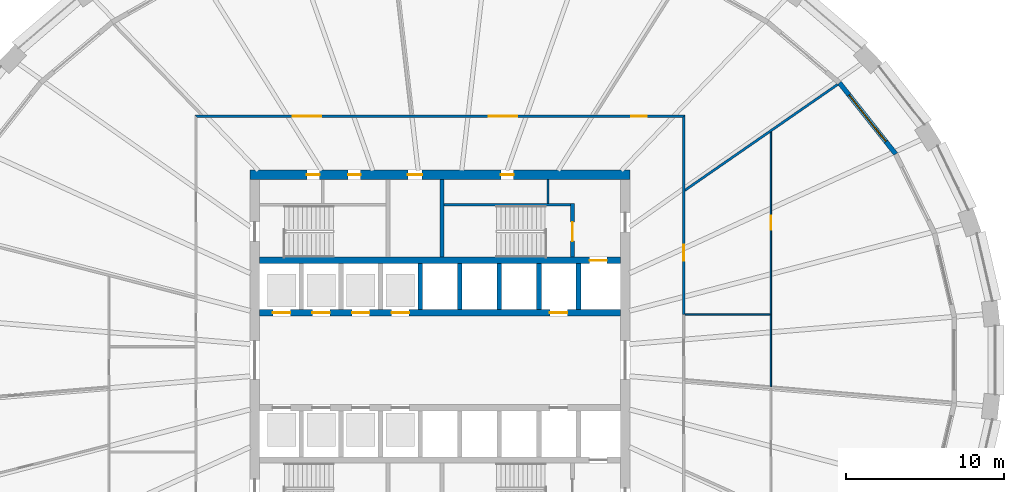
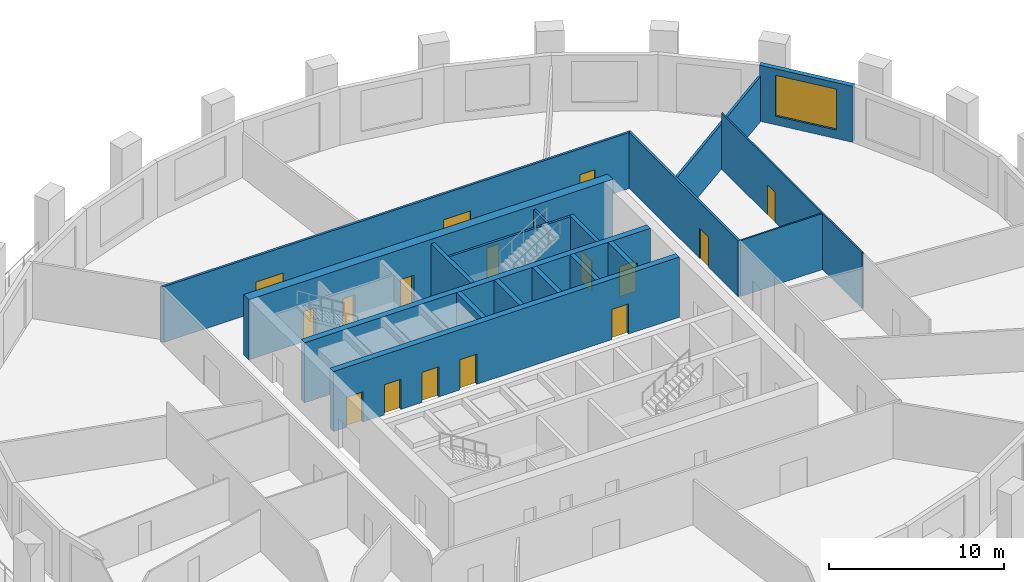
# One storey, part 6 of 10: 18 walls, 16 doors, 1 window, 17 openings.
"""IFC4 building model written with IfcOpenShell, lengths in metres."""

from ifc_helpers import new_model, si_unit, direction, frame, frame_2d, origin, place, context, subcontext, project, spatial, polyline, rectangle, outline, extrude, material, layer, layer_set, type_object, element, fill, save


model = new_model("IFC4")

# Units and contexts
model_context = context("Model", 3, precision=1e-05, world=origin(), true_north=direction((0.0, 1.0)))
body_context = subcontext(model_context, "Body", "Model", "MODEL_VIEW")
ifc_project = project(units=[si_unit("LENGTHUNIT", "METRE"), si_unit("AREAUNIT", "SQUARE_METRE"), si_unit("VOLUMEUNIT", "CUBIC_METRE"), si_unit("PLANEANGLEUNIT", "RADIAN"), si_unit("MASSUNIT", "GRAM", prefix="KILO")], contexts=[model_context])

# Site, building, storey
site_placement = place(None, origin())
site = spatial("IfcSite", under=ifc_project, at=site_placement, CompositionType="ELEMENT")
building_placement = place(site_placement, origin())
building = spatial("IfcBuilding", under=site, at=building_placement, Name="Halqa Exchange Tower", CompositionType="ELEMENT")
storey_placement = place(building_placement, frame((0.0, 0.0, 112.89990234375)))
storey = spatial("IfcBuildingStorey", under=building, at=storey_placement, Name="L25", CompositionType="ELEMENT", Elevation=112.89990234375)

# Wall, openings, doors
ifc_material_1 = material(Name="Fire-rated gypsum board")
ifc_layer_1 = layer(ifc_material_1, 0.14990234375)
ifc_layer_set_1 = layer_set([ifc_layer_1], Name="Fire-rated gypsum board")
wall_type_1 = type_object("IfcWallType", Name="Fire partition EI 60 150", PredefinedType="PARTITIONING", material=ifc_layer_set_1)
wall_1_placement = place(storey_placement, frame((-15.47509765625, 15.39990234375, 0.0), z_axis=(0.0, 0.0, 1.0), x_axis=(1.0, 0.0, 0.0)))
wall_1 = element("IfcWall", 1, at=wall_1_placement, inside=storey, type_object=wall_type_1, Name="L25-PWL-010", PredefinedType="PARTITIONING", context=body_context, shape_type="SweptSolid", body=[
    extrude(outline(polyline([(0.150146484375, -0.074951171875), (2.065673828125, -0.074951171875), (3.9814453125, -0.074951171875), (5.89697265625, -0.074951171875), (7.8125, -0.074951171875), (9.728271484375, -0.074951171875), (11.643798828125, -0.074951171875), (13.5595703125, -0.074951171875), (15.47509765625, -0.074951171875), (17.390625, -0.074951171875), (19.306396484375, -0.074951171875), (21.221923828125, -0.074951171875), (23.1376953125, -0.074951171875), (25.05322265625, -0.074951171875), (26.96875, -0.074951171875), (28.884521484375, -0.074951171875), (30.800048828125, -0.074951171875), (30.949951171875, 0.074951171875), (29.015625, 0.074951171875), (27.081298828125, 0.074951171875), (25.14697265625, 0.074951171875), (23.21240234375, 0.074951171875), (21.278076171875, 0.074951171875), (19.34375, 0.074951171875), (17.409423828125, 0.074951171875), (15.47509765625, 0.074951171875), (13.540771484375, 0.074951171875), (11.6064453125, 0.074951171875), (9.672119140625, 0.074951171875), (7.73779296875, 0.074951171875), (5.80322265625, 0.074951171875), (3.868896484375, 0.074951171875), (1.9345703125, 0.074951171875), (0.000244140625, 0.074951171875), (0.150146484375, -0.074951171875)])), origin(), (0.0, 0.0, 1.0), 3.900146484375),
])
opening_1_placement = place(wall_1_placement, frame((27.544921875, 0.0, 0.0)))
opening_1 = element("IfcOpeningElement", 2, at=opening_1_placement, cuts=wall_1, Name="Opening 07-01", PredefinedType="OPENING", context=body_context, shape_type="SweptSolid", body=[
    extrude(rectangle(XDim=1.0, YDim=2.10009765625, at=frame_2d((0.5, 1.050048828125))), frame((0.0, 0.0869140625, 0.0), z_axis=(0.0, -1.0, 0.0), x_axis=(1.0, 0.0, 0.0)), (0.0, 0.0, 1.0), 0.173828125),
])
opening_2_placement = place(wall_1_placement, frame((18.544921875, 0.0, 0.0)))
opening_2 = element("IfcOpeningElement", 3, at=opening_2_placement, cuts=wall_1, Name="Opening 07-02", PredefinedType="OPENING", context=body_context, shape_type="SweptSolid", body=[
    extrude(rectangle(XDim=1.800048828125, YDim=2.10009765625, at=frame_2d((0.89990234375, 1.050048828125))), frame((0.0, 0.0869140625, 0.0), z_axis=(0.0, -1.0, 0.0), x_axis=(1.0, 0.0, 0.0)), (0.0, 0.0, 1.0), 0.173828125),
])
opening_3_placement = place(wall_1_placement, frame((6.195068359375, 0.0, 0.0)))
opening_3 = element("IfcOpeningElement", 4, at=opening_3_placement, cuts=wall_1, Name="Opening 07-03", PredefinedType="OPENING", context=body_context, shape_type="SweptSolid", body=[
    extrude(rectangle(XDim=1.800048828125, YDim=2.10009765625, at=frame_2d((0.89990234375, 1.050048828125))), frame((0.0, 0.0869140625, 0.0), z_axis=(0.0, -1.0, 0.0), x_axis=(1.0, 0.0, 0.0)), (0.0, 0.0, 1.0), 0.173828125),
])
ifc_material_2 = material(Name="Steel fire door leaf", Category="steel")
door_type_1 = type_object("IfcDoorType", Name="Fire door FD30S 1000 x 2100", OperationType="SINGLE_SWING_LEFT", PredefinedType="DOOR", material=ifc_material_2)
door_1_placement = place(opening_1_placement, origin())
door_1 = element("IfcDoor", 5, at=door_1_placement, inside=storey, type_object=door_type_1, Name="L25-IDR-001", OperationType="SINGLE_SWING_RIGHT", OverallHeight=2.10009765625, OverallWidth=1.0, PredefinedType="DOOR", context=body_context, shape_type="SweptSolid", body=[
    extrude(rectangle(XDim=1.0, YDim=2.10009765625, at=frame_2d((0.5, 1.050048828125))), frame((0.0, 0.02490234375, 0.0), z_axis=(0.0, -1.0, 0.0), x_axis=(1.0, 0.0, 0.0)), (0.0, 0.0, 1.0), 0.050048828125),
])
fill(opening_1, door_1)
door_type_2 = type_object("IfcDoorType", Name="Fire door FD30S double 1800 x 2100", OperationType="DOUBLE_DOOR_SINGLE_SWING", PredefinedType="DOOR", material=ifc_material_2)
door_2_placement = place(opening_2_placement, origin())
door_2 = element("IfcDoor", 6, at=door_2_placement, inside=storey, type_object=door_type_2, Name="L25-IDR-002", OperationType="DOUBLE_DOOR_SINGLE_SWING", OverallHeight=2.10009765625, OverallWidth=1.800048828125, PredefinedType="DOOR", context=body_context, shape_type="SweptSolid", body=[
    extrude(rectangle(XDim=1.800048828125, YDim=2.10009765625, at=frame_2d((0.89990234375, 1.050048828125))), frame((0.0, 0.02490234375, 0.0), z_axis=(0.0, -1.0, 0.0), x_axis=(1.0, 0.0, 0.0)), (0.0, 0.0, 1.0), 0.050048828125),
])
fill(opening_2, door_2)
door_3_placement = place(opening_3_placement, origin())
door_3 = element("IfcDoor", 7, at=door_3_placement, inside=storey, type_object=door_type_2, Name="L25-IDR-003", OperationType="DOUBLE_DOOR_SINGLE_SWING", OverallHeight=2.10009765625, OverallWidth=1.800048828125, PredefinedType="DOOR", context=body_context, shape_type="SweptSolid", body=[
    extrude(rectangle(XDim=1.800048828125, YDim=2.10009765625, at=frame_2d((0.89990234375, 1.050048828125))), frame((0.0, 0.02490234375, 0.0), z_axis=(0.0, -1.0, 0.0), x_axis=(1.0, 0.0, 0.0)), (0.0, 0.0, 1.0), 0.050048828125),
])
fill(opening_3, door_3)

# Wall, opening, door
wall_2_placement = place(storey_placement, frame((15.39990234375, 2.8798828125, 0.0), z_axis=(0.0, 0.0, 1.0), x_axis=(0.0, 1.0, 0.0)))
wall_2 = element("IfcWall", 8, at=wall_2_placement, inside=storey, type_object=wall_type_1, Name="L25-PWL-021", PredefinedType="PARTITIONING", context=body_context, shape_type="SweptSolid", body=[
    extrude(outline(polyline([(0.0, -0.074951171875), (1.79931640625, -0.074951171875), (3.5986328125, -0.074951171875), (5.39794921875, -0.074951171875), (7.197021484375, -0.074951171875), (8.996337890625, -0.074951171875), (10.795654296875, -0.074951171875), (12.594970703125, -0.074951171875), (12.445068359375, 0.074951171875), (10.667236328125, 0.074951171875), (8.889404296875, 0.074951171875), (7.111572265625, 0.074951171875), (5.33349609375, 0.074951171875), (3.5556640625, 0.074951171875), (1.77783203125, 0.074951171875), (0.0, 0.074951171875), (0.0, -0.074951171875)])), origin(), (0.0, 0.0, 1.0), 3.900146484375),
])
opening_4_placement = place(wall_2_placement, frame((3.39990234375, 0.0, 0.0)))
opening_4 = element("IfcOpeningElement", 9, at=opening_4_placement, cuts=wall_2, Name="Opening 07-14", PredefinedType="OPENING", context=body_context, shape_type="SweptSolid", body=[
    extrude(rectangle(XDim=1.0, YDim=2.10009765625, at=frame_2d((0.5, 1.050048828125))), frame((0.0, 0.0869140625, 0.0), z_axis=(0.0, -1.0, 0.0), x_axis=(1.0, 0.0, 0.0)), (0.0, 0.0, 1.0), 0.173828125),
])
door_4_placement = place(opening_4_placement, frame((1.0, 0.0, 0.0), z_axis=(0.0, 0.0, 1.0), x_axis=(-1.0, 0.0, 0.0)))
door_4 = element("IfcDoor", 10, at=door_4_placement, inside=storey, type_object=door_type_1, Name="L25-IDR-014", OperationType="SINGLE_SWING_RIGHT", OverallHeight=2.10009765625, OverallWidth=1.0, PredefinedType="DOOR", context=body_context, shape_type="SweptSolid", body=[
    extrude(rectangle(XDim=1.0, YDim=2.10009765625, at=frame_2d((0.5, 1.050048828125))), frame((0.0, 0.02490234375, 0.0), z_axis=(0.0, -1.0, 0.0), x_axis=(1.0, 0.0, 0.0)), (0.0, 0.0, 1.0), 0.050048828125),
])
fill(opening_4, door_4)

# Walls
wall_3_placement = place(storey_placement, frame((15.4326171875, 10.702392578125, 0.0), z_axis=(0.0, 0.0, 1.0), x_axis=(0.82202509952, 0.569451258458, 0.0)))
element("IfcWall", 11, at=wall_3_placement, inside=storey, type_object=wall_type_1, Name="L25-PWL-023", PredefinedType="PARTITIONING", context=body_context, shape_type="SweptSolid", body=[
    extrude(outline(polyline([(0.0, -0.074951171875), (1.634521484375, -0.074951171875), (3.269287109375, -0.074951171875), (4.90380859375, -0.074951171875), (6.538330078125, -0.074951171875), (6.540283203125, -0.072021484375), (6.54443359375, -0.074951171875), (8.291259765625, -0.074951171875), (10.0380859375, -0.074951171875), (11.784912109375, -0.074951171875), (11.784912109375, -0.071044921875), (11.7802734375, 0.002685546875), (11.7607421875, 0.074951171875), (9.81787109375, 0.074951171875), (7.875, 0.074951171875), (5.93212890625, 0.074951171875), (3.9892578125, 0.074951171875), (2.04638671875, 0.074951171875), (0.103515625, 0.074951171875), (0.0, -0.074462890625), (0.0, -0.074951171875)])), origin(), (0.0, 0.0, 1.0), 3.147216796875),
])
ifc_material_3 = material(Name="Gypsum board")
ifc_layer_2 = layer(ifc_material_3, 0.10009765625)
ifc_layer_set_2 = layer_set([ifc_layer_2], Name="Gypsum board")
wall_type_2 = type_object("IfcWallType", Name="Partition 100 gypsum", PredefinedType="PARTITIONING", material=ifc_layer_set_2)
wall_4_placement = place(storey_placement, frame((15.46044921875, 2.8798828125, 0.0), z_axis=(0.0, 0.0, 1.0), x_axis=(1.0, 0.0, 0.0)))
element("IfcWall", 12, at=wall_4_placement, inside=storey, type_object=wall_type_2, Name="L25-PWL-022", PredefinedType="PARTITIONING", context=body_context, shape_type="SweptSolid", body=[
    extrude(outline(polyline([(0.0, -0.050048828125), (1.796630859375, -0.050048828125), (3.593017578125, -0.050048828125), (5.3896484375, -0.050048828125), (5.3896484375, 0.050048828125), (3.597900390625, 0.050048828125), (1.80615234375, 0.050048828125), (0.0146484375, 0.050048828125), (0.0146484375, 0.0), (0.0, 0.0), (0.0, -0.050048828125)])), origin(), (0.0, 0.0, 1.0), 3.900146484375),
])

# Wall, opening, door
wall_5_placement = place(storey_placement, frame((20.89990234375, -1.66845703125, 0.0), z_axis=(0.0, 0.0, 1.0), x_axis=(0.0, 1.0, 0.0)))
wall_5 = element("IfcWall", 13, at=wall_5_placement, inside=storey, type_object=wall_type_2, Name="L25-PWL-025", PredefinedType="PARTITIONING", context=body_context, shape_type="SweptSolid", body=[
    extrude(outline(polyline([(16.1015625, -0.050048828125), (16.1015625, -0.0498046875), (16.032470703125, 0.050048828125), (14.126708984375, 0.050048828125), (12.22119140625, 0.050048828125), (10.3154296875, 0.050048828125), (8.409912109375, 0.050048828125), (6.504150390625, 0.050048828125), (4.598388671875, 0.050048828125), (4.598388671875, 0.0498046875), (4.49853515625, 0.0498046875), (4.49853515625, 0.050048828125), (3.001708984375, 0.050048828125), (1.505126953125, 0.050048828125), (0.00830078125, 0.050048828125), (0.0, -0.049072265625), (0.0, -0.050048828125), (1.7890625, -0.050048828125), (3.578125, -0.050048828125), (5.3671875, -0.050048828125), (7.15625, -0.050048828125), (8.9453125, -0.050048828125), (10.734375, -0.050048828125), (12.5234375, -0.050048828125), (14.3125, -0.050048828125), (16.1015625, -0.050048828125)])), origin(), (0.0, 0.0, 1.0), 3.900146484375),
])
opening_5_placement = place(wall_5_placement, frame((9.903564453125, 0.0, 0.0)))
opening_5 = element("IfcOpeningElement", 14, at=opening_5_placement, cuts=wall_5, Name="Opening 07-19", PredefinedType="OPENING", context=body_context, shape_type="SweptSolid", body=[
    extrude(rectangle(XDim=0.89990234375, YDim=2.10009765625, at=frame_2d((0.449951171875, 1.050048828125))), frame((0.0, 0.06201171875, 0.0), z_axis=(0.0, -1.0, 0.0), x_axis=(1.0, 0.0, 0.0)), (0.0, 0.0, 1.0), 0.1240234375),
])
ifc_material_4 = material(Name="Timber door leaf", Category="wood")
door_type_3 = type_object("IfcDoorType", Name="Door 900 x 2100", OperationType="SINGLE_SWING_LEFT", PredefinedType="DOOR", material=ifc_material_4)
door_5_placement = place(opening_5_placement, origin())
door_5 = element("IfcDoor", 15, at=door_5_placement, inside=storey, type_object=door_type_3, Name="L25-IDR-019", OperationType="SINGLE_SWING_RIGHT", OverallHeight=2.10009765625, OverallWidth=0.89990234375, PredefinedType="DOOR", context=body_context, shape_type="SweptSolid", body=[
    extrude(rectangle(XDim=0.89990234375, YDim=2.10009765625, at=frame_2d((0.449951171875, 1.050048828125))), frame((0.0, 0.02490234375, 0.0), z_axis=(0.0, -1.0, 0.0), x_axis=(1.0, 0.0, 0.0)), (0.0, 0.0, 1.0), 0.050048828125),
])
fill(opening_5, door_5)

# Walls
ifc_layer_3 = layer(ifc_material_3, 0.14990234375)
ifc_layer_set_3 = layer_set([ifc_layer_3], Name="Gypsum board")
wall_type_3 = type_object("IfcWallType", Name="Penthouse riser wall 150 gypsum", PredefinedType="PARTITIONING", material=ifc_layer_set_3)
wall_6_placement = place(storey_placement, frame((6.824951171875, 9.89990234375, 0.0), z_axis=(0.0, 0.0, 1.0), x_axis=(0.0, 1.0, 0.0)))
element("IfcWall", 16, at=wall_6_placement, inside=storey, type_object=wall_type_3, Name="Firefighting lobby west wall N", PredefinedType="PARTITIONING", context=body_context, shape_type="SweptSolid", body=[
    extrude(rectangle(XDim=1.5, YDim=0.14990234375, at=frame_2d((0.75, 0.0))), origin(), (0.0, 0.0, 1.0), 3.900146484375),
])
ifc_material_5 = material(Name="Concrete C60/75", Category="concrete")
ifc_layer_4 = layer(ifc_material_5, 0.300048828125)
ifc_layer_set_4 = layer_set([ifc_layer_4], Name="Concrete C60/75")
wall_type_4 = type_object("IfcWallType", Name="RC core wall 300", PredefinedType="SHEAR", material=ifc_layer_set_4)
for number, where, z_axis, x_axis, name in (
    (17, (-1.25, 3.199951171875, 0.0), (0.0, 0.0, 1.0), (0.0, 1.0, 0.0), "Shaft divider N4"),
    (18, (1.25, 3.199951171875, 0.0), (0.0, 0.0, 1.0), (0.0, 1.0, 0.0), "Shaft divider N5"),
    (19, (3.75, 3.199951171875, 0.0), (0.0, 0.0, 1.0), (0.0, 1.0, 0.0), "Shaft divider N6"),
    (20, (6.25, 3.199951171875, 0.0), (0.0, 0.0, 1.0), (0.0, 1.0, 0.0), "Shaft divider N7"),
    (21, (8.75, 3.199951171875, 0.0), (0.0, 0.0, 1.0), (0.0, 1.0, 0.0), "Shaft divider N8"),
):
    element("IfcWall", number, at=place(storey_placement, frame(where, z_axis=z_axis, x_axis=x_axis)), inside=storey, type_object=wall_type_4, Name=name, PredefinedType="SHEAR", context=body_context, shape_type="SweptSolid", body=[
        extrude(rectangle(XDim=2.900146484375, YDim=0.300048828125, at=frame_2d((1.4501953125, 0.0))), origin(), (0.0, 0.0, 1.0), 4.2001953125),
    ])

# Wall, openings, doors
ifc_material_6 = material(Name="Concrete C70/85", Category="concrete")
ifc_layer_5 = layer(ifc_material_6, 0.39990234375)
ifc_layer_set_5 = layer_set([ifc_layer_5], Name="Concrete C70/85")
wall_type_5 = type_object("IfcWallType", Name="RC core wall 400 C70/85", PredefinedType="SHEAR", material=ifc_layer_set_5)
wall_7_placement = place(storey_placement, frame((-11.39990234375, 3.0, 0.0), z_axis=(0.0, 0.0, 1.0), x_axis=(1.0, 0.0, 0.0)))
wall_7 = element("IfcWall", 22, at=wall_7_placement, inside=storey, type_object=wall_type_5, Name="Lift row front wall N", PredefinedType="SHEAR", context=body_context, shape_type="SweptSolid", body=[
    extrude(rectangle(XDim=22.7998046875, YDim=0.39990234375, at=frame_2d((11.39990234375, 0.0))), origin(), (0.0, 0.0, 1.0), 4.2001953125),
])
opening_6_placement = place(wall_7_placement, frame((0.85009765625, 0.0, 0.0)))
opening_6 = element("IfcOpeningElement", 23, at=opening_6_placement, cuts=wall_7, Name="Opening LD-LR1-T07", PredefinedType="OPENING", context=body_context, shape_type="SweptSolid", body=[
    extrude(rectangle(XDim=1.10009765625, YDim=2.10009765625, at=frame_2d((0.550048828125, 1.050048828125))), frame((0.0, 0.2119140625, 0.0), z_axis=(0.0, -1.0, 0.0), x_axis=(1.0, 0.0, 0.0)), (0.0, 0.0, 1.0), 0.423828125),
])
opening_7_placement = place(wall_7_placement, frame((3.35009765625, 0.0, 0.0)))
opening_7 = element("IfcOpeningElement", 24, at=opening_7_placement, cuts=wall_7, Name="Opening LD-LR2-T07", PredefinedType="OPENING", context=body_context, shape_type="SweptSolid", body=[
    extrude(rectangle(XDim=1.10009765625, YDim=2.10009765625, at=frame_2d((0.550048828125, 1.050048828125))), frame((0.0, 0.2119140625, 0.0), z_axis=(0.0, -1.0, 0.0), x_axis=(1.0, 0.0, 0.0)), (0.0, 0.0, 1.0), 0.423828125),
])
opening_8_placement = place(wall_7_placement, frame((5.85009765625, 0.0, 0.0)))
opening_8 = element("IfcOpeningElement", 25, at=opening_8_placement, cuts=wall_7, Name="Opening LD-LR3-T07", PredefinedType="OPENING", context=body_context, shape_type="SweptSolid", body=[
    extrude(rectangle(XDim=1.10009765625, YDim=2.10009765625, at=frame_2d((0.550048828125, 1.050048828125))), frame((0.0, 0.2119140625, 0.0), z_axis=(0.0, -1.0, 0.0), x_axis=(1.0, 0.0, 0.0)), (0.0, 0.0, 1.0), 0.423828125),
])
opening_9_placement = place(wall_7_placement, frame((8.35009765625, 0.0, 0.0)))
opening_9 = element("IfcOpeningElement", 26, at=opening_9_placement, cuts=wall_7, Name="Opening LD-LR4-T07", PredefinedType="OPENING", context=body_context, shape_type="SweptSolid", body=[
    extrude(rectangle(XDim=1.10009765625, YDim=2.10009765625, at=frame_2d((0.550048828125, 1.050048828125))), frame((0.0, 0.2119140625, 0.0), z_axis=(0.0, -1.0, 0.0), x_axis=(1.0, 0.0, 0.0)), (0.0, 0.0, 1.0), 0.423828125),
])
opening_10_placement = place(wall_7_placement, frame((18.35009765625, 0.0, 0.0)))
opening_10 = element("IfcOpeningElement", 27, at=opening_10_placement, cuts=wall_7, Name="Opening LD-SV1-T07", PredefinedType="OPENING", context=body_context, shape_type="SweptSolid", body=[
    extrude(rectangle(XDim=1.10009765625, YDim=2.10009765625, at=frame_2d((0.550048828125, 1.050048828125))), frame((0.0, 0.2119140625, 0.0), z_axis=(0.0, -1.0, 0.0), x_axis=(1.0, 0.0, 0.0)), (0.0, 0.0, 1.0), 0.423828125),
])
ifc_material_7 = material(Name="Stainless steel", Category="steel")
door_type_4 = type_object("IfcDoorType", Name="Lift landing door 1100 x 2100", OperationType="SLIDING_TO_LEFT", PredefinedType="DOOR", material=ifc_material_7)
door_6_placement = place(opening_6_placement, origin())
door_6 = element("IfcDoor", 28, at=door_6_placement, inside=storey, type_object=door_type_4, Name="Lift landing door LR1", OperationType="SLIDING_TO_LEFT", OverallHeight=2.10009765625, OverallWidth=1.10009765625, PredefinedType="DOOR", context=body_context, shape_type="SweptSolid", body=[
    extrude(rectangle(XDim=1.10009765625, YDim=2.10009765625, at=frame_2d((0.550048828125, 1.050048828125))), frame((0.0, 0.02490234375, 0.0), z_axis=(0.0, -1.0, 0.0), x_axis=(1.0, 0.0, 0.0)), (0.0, 0.0, 1.0), 0.050048828125),
])
fill(opening_6, door_6)
door_7_placement = place(opening_7_placement, origin())
door_7 = element("IfcDoor", 29, at=door_7_placement, inside=storey, type_object=door_type_4, Name="Lift landing door LR2", OperationType="SLIDING_TO_LEFT", OverallHeight=2.10009765625, OverallWidth=1.10009765625, PredefinedType="DOOR", context=body_context, shape_type="SweptSolid", body=[
    extrude(rectangle(XDim=1.10009765625, YDim=2.10009765625, at=frame_2d((0.550048828125, 1.050048828125))), frame((0.0, 0.02490234375, 0.0), z_axis=(0.0, -1.0, 0.0), x_axis=(1.0, 0.0, 0.0)), (0.0, 0.0, 1.0), 0.050048828125),
])
fill(opening_7, door_7)
door_8_placement = place(opening_8_placement, origin())
door_8 = element("IfcDoor", 30, at=door_8_placement, inside=storey, type_object=door_type_4, Name="Lift landing door LR3", OperationType="SLIDING_TO_LEFT", OverallHeight=2.10009765625, OverallWidth=1.10009765625, PredefinedType="DOOR", context=body_context, shape_type="SweptSolid", body=[
    extrude(rectangle(XDim=1.10009765625, YDim=2.10009765625, at=frame_2d((0.550048828125, 1.050048828125))), frame((0.0, 0.02490234375, 0.0), z_axis=(0.0, -1.0, 0.0), x_axis=(1.0, 0.0, 0.0)), (0.0, 0.0, 1.0), 0.050048828125),
])
fill(opening_8, door_8)
door_9_placement = place(opening_9_placement, origin())
door_9 = element("IfcDoor", 31, at=door_9_placement, inside=storey, type_object=door_type_4, Name="Lift landing door LR4", OperationType="SLIDING_TO_LEFT", OverallHeight=2.10009765625, OverallWidth=1.10009765625, PredefinedType="DOOR", context=body_context, shape_type="SweptSolid", body=[
    extrude(rectangle(XDim=1.10009765625, YDim=2.10009765625, at=frame_2d((0.550048828125, 1.050048828125))), frame((0.0, 0.02490234375, 0.0), z_axis=(0.0, -1.0, 0.0), x_axis=(1.0, 0.0, 0.0)), (0.0, 0.0, 1.0), 0.050048828125),
])
fill(opening_9, door_9)
door_10_placement = place(opening_10_placement, origin())
door_10 = element("IfcDoor", 32, at=door_10_placement, inside=storey, type_object=door_type_4, Name="Lift landing door SV1", OperationType="SLIDING_TO_LEFT", OverallHeight=2.10009765625, OverallWidth=1.10009765625, PredefinedType="DOOR", context=body_context, shape_type="SweptSolid", body=[
    extrude(rectangle(XDim=1.10009765625, YDim=2.10009765625, at=frame_2d((0.550048828125, 1.050048828125))), frame((0.0, 0.02490234375, 0.0), z_axis=(0.0, -1.0, 0.0), x_axis=(1.0, 0.0, 0.0)), (0.0, 0.0, 1.0), 0.050048828125),
])
fill(opening_10, door_10)

# Wall, opening, door
wall_8_placement = place(storey_placement, frame((-11.39990234375, 6.300048828125, 0.0), z_axis=(0.0, 0.0, 1.0), x_axis=(1.0, 0.0, 0.0)))
wall_8 = element("IfcWall", 33, at=wall_8_placement, inside=storey, type_object=wall_type_5, Name="Lift row back wall N", PredefinedType="SHEAR", context=body_context, shape_type="SweptSolid", body=[
    extrude(rectangle(XDim=22.7998046875, YDim=0.39990234375, at=frame_2d((11.39990234375, 0.0))), origin(), (0.0, 0.0, 1.0), 4.2001953125),
])
opening_11_placement = place(wall_8_placement, frame((20.85009765625, 0.0, 0.0)))
opening_11 = element("IfcOpeningElement", 34, at=opening_11_placement, cuts=wall_8, Name="Opening LD-FF1-T07", PredefinedType="OPENING", context=body_context, shape_type="SweptSolid", body=[
    extrude(rectangle(XDim=1.10009765625, YDim=2.10009765625, at=frame_2d((0.550048828125, 1.050048828125))), frame((0.0, 0.2119140625, 0.0), z_axis=(0.0, -1.0, 0.0), x_axis=(1.0, 0.0, 0.0)), (0.0, 0.0, 1.0), 0.423828125),
])
door_11_placement = place(opening_11_placement, origin())
door_11 = element("IfcDoor", 35, at=door_11_placement, inside=storey, type_object=door_type_4, Name="Lift landing door FF1", OperationType="SLIDING_TO_LEFT", OverallHeight=2.10009765625, OverallWidth=1.10009765625, PredefinedType="DOOR", context=body_context, shape_type="SweptSolid", body=[
    extrude(rectangle(XDim=1.10009765625, YDim=2.10009765625, at=frame_2d((0.550048828125, 1.050048828125))), frame((0.0, 0.02490234375, 0.0), z_axis=(0.0, -1.0, 0.0), x_axis=(1.0, 0.0, 0.0)), (0.0, 0.0, 1.0), 0.050048828125),
])
fill(opening_11, door_11)

# Wall, openings, doors
ifc_layer_6 = layer(ifc_material_6, 0.60009765625)
ifc_layer_set_6 = layer_set([ifc_layer_6], Name="Concrete C70/85")
wall_type_6 = type_object("IfcWallType", Name="RC core wall 600 C70/85", PredefinedType="SHEAR", material=ifc_layer_set_6)
wall_9_placement = place(storey_placement, frame((-12.0, 11.699951171875, 0.0), z_axis=(0.0, 0.0, 1.0), x_axis=(1.0, 0.0, 0.0)))
wall_9 = element("IfcWall", 36, at=wall_9_placement, inside=storey, type_object=wall_type_6, Name="Core wall north", PredefinedType="SHEAR", context=body_context, shape_type="SweptSolid", body=[
    extrude(rectangle(XDim=24.0, YDim=0.60009765625, at=frame_2d((12.0, 0.0))), origin(), (0.0, 0.0, 1.0), 4.2001953125),
])
opening_12_placement = place(wall_9_placement, frame((9.97509765625, 0.0, 0.0)))
opening_12 = element("IfcOpeningElement", 37, at=opening_12_placement, cuts=wall_9, Name="Opening T07-C21", PredefinedType="OPENING", context=body_context, shape_type="SweptSolid", body=[
    extrude(rectangle(XDim=0.89990234375, YDim=2.10009765625, at=frame_2d((0.449951171875, 1.050048828125))), frame((0.0, 0.31201171875, 0.0), z_axis=(0.0, -1.0, 0.0), x_axis=(1.0, 0.0, 0.0)), (0.0, 0.0, 1.0), 0.6240234375),
])
opening_13_placement = place(wall_9_placement, frame((3.60009765625, 0.0, 0.0)))
opening_13 = element("IfcOpeningElement", 38, at=opening_13_placement, cuts=wall_9, Name="Opening T07-C22", PredefinedType="OPENING", context=body_context, shape_type="SweptSolid", body=[
    extrude(rectangle(XDim=0.800048828125, YDim=2.10009765625, at=frame_2d((0.39990234375, 1.050048828125))), frame((0.0, 0.31201171875, 0.0), z_axis=(0.0, -1.0, 0.0), x_axis=(1.0, 0.0, 0.0)), (0.0, 0.0, 1.0), 0.6240234375),
])
opening_14_placement = place(wall_9_placement, frame((6.199951171875, 0.0, 0.0)))
opening_14 = element("IfcOpeningElement", 39, at=opening_14_placement, cuts=wall_9, Name="Opening T07-C23", PredefinedType="OPENING", context=body_context, shape_type="SweptSolid", body=[
    extrude(rectangle(XDim=0.800048828125, YDim=2.10009765625, at=frame_2d((0.39990234375, 1.050048828125))), frame((0.0, 0.31201171875, 0.0), z_axis=(0.0, -1.0, 0.0), x_axis=(1.0, 0.0, 0.0)), (0.0, 0.0, 1.0), 0.6240234375),
])
opening_15_placement = place(wall_9_placement, frame((15.85009765625, 0.0, 0.0)))
opening_15 = element("IfcOpeningElement", 40, at=opening_15_placement, cuts=wall_9, Name="Opening T07-C24", PredefinedType="OPENING", context=body_context, shape_type="SweptSolid", body=[
    extrude(rectangle(XDim=0.800048828125, YDim=2.10009765625, at=frame_2d((0.39990234375, 1.050048828125))), frame((0.0, 0.31201171875, 0.0), z_axis=(0.0, -1.0, 0.0), x_axis=(1.0, 0.0, 0.0)), (0.0, 0.0, 1.0), 0.6240234375),
])
ifc_material_8 = material(Name="Timber fire door leaf", Category="wood")
door_type_5 = type_object("IfcDoorType", Name="Core room door FD30 900 x 2100", OperationType="SINGLE_SWING_LEFT", PredefinedType="DOOR", material=ifc_material_8)
door_12_placement = place(opening_12_placement, frame((0.89990234375, 0.0, 0.0), z_axis=(0.0, 0.0, 1.0), x_axis=(-1.0, 0.0, 0.0)))
door_12 = element("IfcDoor", 41, at=door_12_placement, inside=storey, type_object=door_type_5, Name="Core room door", OperationType="SINGLE_SWING_LEFT", OverallHeight=2.10009765625, OverallWidth=0.89990234375, PredefinedType="DOOR", context=body_context, shape_type="SweptSolid", body=[
    extrude(rectangle(XDim=0.89990234375, YDim=2.10009765625, at=frame_2d((0.449951171875, 1.050048828125))), frame((0.0, 0.02490234375, 0.0), z_axis=(0.0, -1.0, 0.0), x_axis=(1.0, 0.0, 0.0)), (0.0, 0.0, 1.0), 0.050048828125),
])
fill(opening_12, door_12)
door_type_6 = type_object("IfcDoorType", Name="Riser door FD60 800 x 2100", OperationType="SINGLE_SWING_LEFT", PredefinedType="DOOR", material=ifc_material_2)
door_13_placement = place(opening_13_placement, frame((0.800048828125, 0.0, 0.0), z_axis=(0.0, 0.0, 1.0), x_axis=(-1.0, 0.0, 0.0)))
door_13 = element("IfcDoor", 42, at=door_13_placement, inside=storey, type_object=door_type_6, Name="Core room door", OperationType="SINGLE_SWING_RIGHT", OverallHeight=2.10009765625, OverallWidth=0.800048828125, PredefinedType="DOOR", context=body_context, shape_type="SweptSolid", body=[
    extrude(rectangle(XDim=0.800048828125, YDim=2.10009765625, at=frame_2d((0.39990234375, 1.050048828125))), frame((0.0, 0.02490234375, 0.0), z_axis=(0.0, -1.0, 0.0), x_axis=(1.0, 0.0, 0.0)), (0.0, 0.0, 1.0), 0.050048828125),
])
fill(opening_13, door_13)
door_14_placement = place(opening_14_placement, frame((0.800048828125, 0.0, 0.0), z_axis=(0.0, 0.0, 1.0), x_axis=(-1.0, 0.0, 0.0)))
door_14 = element("IfcDoor", 43, at=door_14_placement, inside=storey, type_object=door_type_6, Name="Core room door", OperationType="SINGLE_SWING_LEFT", OverallHeight=2.10009765625, OverallWidth=0.800048828125, PredefinedType="DOOR", context=body_context, shape_type="SweptSolid", body=[
    extrude(rectangle(XDim=0.800048828125, YDim=2.10009765625, at=frame_2d((0.39990234375, 1.050048828125))), frame((0.0, 0.02490234375, 0.0), z_axis=(0.0, -1.0, 0.0), x_axis=(1.0, 0.0, 0.0)), (0.0, 0.0, 1.0), 0.050048828125),
])
fill(opening_14, door_14)
door_15_placement = place(opening_15_placement, frame((0.800048828125, 0.0, 0.0), z_axis=(0.0, 0.0, 1.0), x_axis=(-1.0, 0.0, 0.0)))
door_15 = element("IfcDoor", 44, at=door_15_placement, inside=storey, type_object=door_type_6, Name="Core room door", OperationType="SINGLE_SWING_RIGHT", OverallHeight=2.10009765625, OverallWidth=0.800048828125, PredefinedType="DOOR", context=body_context, shape_type="SweptSolid", body=[
    extrude(rectangle(XDim=0.800048828125, YDim=2.10009765625, at=frame_2d((0.39990234375, 1.050048828125))), frame((0.0, 0.02490234375, 0.0), z_axis=(0.0, -1.0, 0.0), x_axis=(1.0, 0.0, 0.0)), (0.0, 0.0, 1.0), 0.050048828125),
])
fill(opening_15, door_15)

# Walls
ifc_material_9 = material(Name="Concrete C30/37", Category="concrete")
ifc_layer_7 = layer(ifc_material_9, 0.14990234375)
ifc_layer_set_7 = layer_set([ifc_layer_7], Name="Concrete C30/37")
wall_type_7 = type_object("IfcWallType", Name="RC stair wall 150 C30/37", PredefinedType="SHEAR", material=ifc_layer_set_7)
wall_10_placement = place(storey_placement, frame((0.25, 9.824951171875, 0.0), z_axis=(0.0, 0.0, 1.0), x_axis=(1.0, 0.0, 0.0)))
element("IfcWall", 45, at=wall_10_placement, inside=storey, type_object=wall_type_7, Name="Stair ST2 north wall N", PredefinedType="SHEAR", context=body_context, shape_type="SweptSolid", body=[
    extrude(rectangle(XDim=8.0, YDim=0.14990234375, at=frame_2d((4.0, 0.0))), origin(), (0.0, 0.0, 1.0), 3.900146484375),
])
ifc_layer_8 = layer(ifc_material_9, 0.25)
ifc_layer_set_8 = layer_set([ifc_layer_8], Name="Concrete C30/37")
wall_type_8 = type_object("IfcWallType", Name="RC stair wall 250 C30/37", PredefinedType="SHEAR", material=ifc_layer_set_8)
wall_11_placement = place(storey_placement, frame((0.125, 6.5, 0.0), z_axis=(0.0, 0.0, 1.0), x_axis=(0.0, 1.0, 0.0)))
element("IfcWall", 46, at=wall_11_placement, inside=storey, type_object=wall_type_8, Name="Stair ST2 west wall N", PredefinedType="SHEAR", context=body_context, shape_type="SweptSolid", body=[
    extrude(rectangle(XDim=4.89990234375, YDim=0.25, at=frame_2d((2.449951171875, 0.0))), origin(), (0.0, 0.0, 1.0), 3.900146484375),
])

# Wall, opening, door
wall_12_placement = place(storey_placement, frame((8.375, 6.5, 0.0), z_axis=(0.0, 0.0, 1.0), x_axis=(0.0, 1.0, 0.0)))
wall_12 = element("IfcWall", 47, at=wall_12_placement, inside=storey, type_object=wall_type_8, Name="Stair ST2 east wall N", PredefinedType="SHEAR", context=body_context, shape_type="SweptSolid", body=[
    extrude(rectangle(XDim=3.39990234375, YDim=0.25, at=frame_2d((1.699951171875, 0.0))), origin(), (0.0, 0.0, 1.0), 3.900146484375),
])
opening_16_placement = place(wall_12_placement, frame((1.02490234375, 0.0, 0.0)))
opening_16 = element("IfcOpeningElement", 48, at=opening_16_placement, cuts=wall_12, Name="Opening T07-C16", PredefinedType="OPENING", context=body_context, shape_type="SweptSolid", body=[
    extrude(rectangle(XDim=1.199951171875, YDim=2.10009765625, at=frame_2d((0.60009765625, 1.050048828125))), frame((0.0, 0.136962890625, 0.0), z_axis=(0.0, -1.0, 0.0), x_axis=(1.0, 0.0, 0.0)), (0.0, 0.0, 1.0), 0.27392578125),
])
door_type_7 = type_object("IfcDoorType", Name="Stair door FD90 1200 x 2100", OperationType="SINGLE_SWING_LEFT", PredefinedType="DOOR", material=ifc_material_2)
door_16_placement = place(opening_16_placement, origin())
door_16 = element("IfcDoor", 49, at=door_16_placement, inside=storey, type_object=door_type_7, Name="Stair door ST2", OperationType="SINGLE_SWING_RIGHT", OverallHeight=2.10009765625, OverallWidth=1.199951171875, PredefinedType="DOOR", context=body_context, shape_type="SweptSolid", body=[
    extrude(rectangle(XDim=1.199951171875, YDim=2.10009765625, at=frame_2d((0.60009765625, 1.050048828125))), frame((0.0, 0.02490234375, 0.0), z_axis=(0.0, -1.0, 0.0), x_axis=(1.0, 0.0, 0.0)), (0.0, 0.0, 1.0), 0.050048828125),
])
fill(opening_16, door_16)

# Wall, opening, window
ifc_material_10 = material(Name="Limestone cladding", Category="masonry")
ifc_layer_9 = layer(ifc_material_10, 0.0400390625)
ifc_material_11 = material(Name="Ventilated cavity")
ifc_layer_10 = layer(ifc_material_11, 0.030029296875, ventilated=True)
ifc_material_12 = material(Name="Mineral wool insulation")
ifc_layer_11 = layer(ifc_material_12, 0.10009765625)
ifc_layer_12 = layer(ifc_material_9, 0.10009765625)
ifc_material_13 = material(Name="Internal plaster")
ifc_layer_13 = layer(ifc_material_13, 0.030029296875)
ifc_layer_set_9 = layer_set([ifc_layer_9, ifc_layer_10, ifc_layer_11, ifc_layer_12, ifc_layer_13], Name="Stone-faced insulated wall 300")
wall_type_9 = type_object("IfcWallType", Name="Stone-faced insulated wall 300", PredefinedType="STANDARD", material=ifc_layer_set_9)
wall_13_placement = place(storey_placement, frame((28.78076171875, 13.019287109375, 0.0), z_axis=(0.0, 0.0, 1.0), x_axis=(-0.620329992039, 0.784340934146, 0.0)))
wall_13 = element("IfcWall", 50, at=wall_13_placement, inside=storey, type_object=wall_type_9, Name="Glass-line wall 3", PredefinedType="STANDARD", context=body_context, shape_type="SweptSolid", body=[
    extrude(outline(polyline([(-0.01611328125, -0.14990234375), (5.75048828125, -0.14990234375), (5.72021484375, 0.14990234375), (0.01611328125, 0.14990234375), (-0.01611328125, -0.14990234375)])), origin(), (0.0, 0.0, 1.0), 3.900146484375),
])
opening_17_placement = place(wall_13_placement, frame((0.99267578125, 0.0, 0.60009765625)))
opening_17 = element("IfcOpeningElement", 51, at=opening_17_placement, cuts=wall_13, Name="Opening W-F2-03", PredefinedType="OPENING", context=body_context, shape_type="SweptSolid", body=[
    extrude(rectangle(XDim=3.75, YDim=2.85009765625, at=frame_2d((1.875, 1.425048828125))), frame((0.0, 0.162109375, 0.0), z_axis=(0.0, -1.0, 0.0), x_axis=(1.0, 0.0, 0.0)), (0.0, 0.0, 1.0), 0.323974609375),
])
ifc_material_14 = material(Name="Clear low-emissivity glass in aluminium frame", Category="aluminium")
window_type = type_object("IfcWindowType", Name="Fixed clear glazed window 3750 x 2850", PartitioningType="TRIPLE_PANEL_VERTICAL", PredefinedType="WINDOW", material=ifc_material_14)
window_placement = place(opening_17_placement, origin())
window = element("IfcWindow", 52, at=window_placement, inside=storey, type_object=window_type, Name="Window 2", OverallHeight=2.85009765625, OverallWidth=3.75, PartitioningType="TRIPLE_PANEL_VERTICAL", PredefinedType="WINDOW", context=body_context, shape_type="SweptSolid", body=[
    extrude(rectangle(XDim=3.75, YDim=2.85009765625, at=frame_2d((1.875, 1.425048828125))), frame((0.0, 0.030029296875, 0.0), z_axis=(0.0, -1.0, 0.0), x_axis=(1.0, 0.0, 0.0)), (0.0, 0.0, 1.0), 0.06005859375),
])
fill(opening_17, window)

save(model, "model.ifc")
